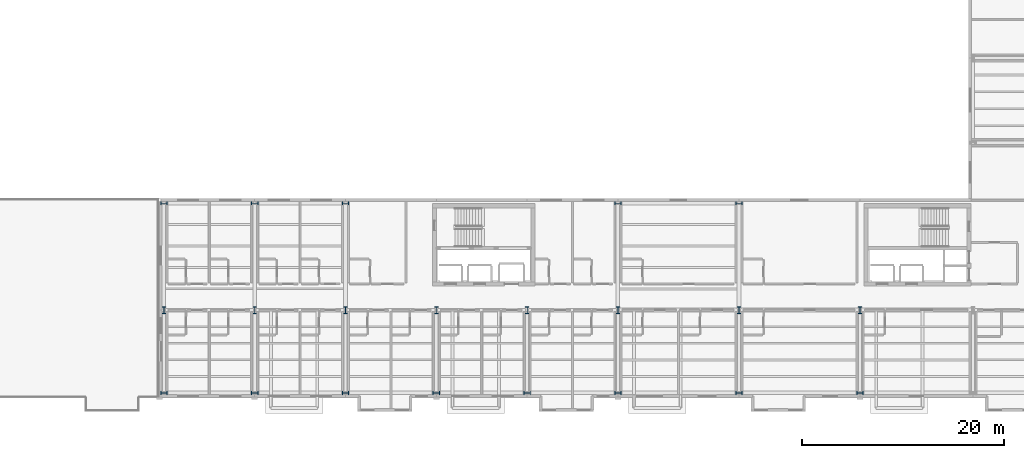
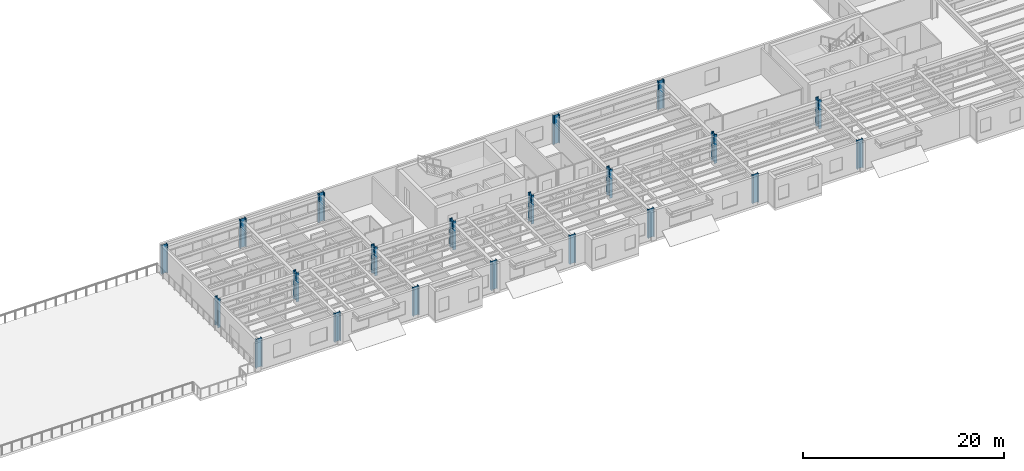
# One storey, part 1 of 23: 21 columns.
"""IFC4 building model written with IfcOpenShell, lengths in metres."""

from ifc_helpers import new_model, si_unit, direction, frame, origin, origin_2d, place, context, subcontext, project, spatial, i_section, extrude, material, material_profile, profile_set, type_object, element, save


model = new_model("IFC4")

# Units and contexts
model_context = context("Model", 3, precision=1e-05, world=origin(), true_north=direction((0.0, 1.0)))
body_context = subcontext(model_context, "Body", "Model", "MODEL_VIEW")
ifc_project = project(units=[si_unit("LENGTHUNIT", "METRE"), si_unit("AREAUNIT", "SQUARE_METRE"), si_unit("VOLUMEUNIT", "CUBIC_METRE"), si_unit("PLANEANGLEUNIT", "RADIAN"), si_unit("MASSUNIT", "GRAM", prefix="KILO")], contexts=[model_context])

# Site, building, storey
site_placement = place(None, origin())
site = spatial("IfcSite", under=ifc_project, at=site_placement, CompositionType="ELEMENT")
building_placement = place(site_placement, origin())
building = spatial("IfcBuilding", under=site, at=building_placement, Name="Sollismere Congress Hotel", CompositionType="ELEMENT")
storey_placement = place(building_placement, frame((0.0, 0.0, 30.60009765625)))
storey = spatial("IfcBuildingStorey", under=building, at=storey_placement, Name="L07", CompositionType="ELEMENT", Elevation=30.60009765625)

# Columns
ifc_material = material(Name="Steel ASTM A992 Grade 50", Category="steel")
ifc_material_profile = material_profile(ifc_material, i_section(OverallWidth=0.3330078125, OverallDepth=0.659912109375, WebThickness=0.0244140625, FlangeThickness=0.0439453125, at=origin_2d()), Name="W24X229")
ifc_profile_set = profile_set([ifc_material_profile], Name="Steel ASTM A992 Grade 50")
column_type = type_object("IfcColumnType", Name="COL-W24", PredefinedType="COLUMN", material=ifc_profile_set)
for number, where, z_axis, x_axis, name in (
    (1, (67.0, 0.0, 0.0), (0.0, 0.0, 1.0), (0.0, 1.0, 0.0), "Column CL-L07-284"),
    (2, (67.0, 8.199951171875, 0.0), (0.0, 0.0, 1.0), (1.0, 0.0, 0.0), "Column CL-L07-295"),
    (3, (67.0, 18.800048828125, 0.0), (0.0, 0.0, 1.0), (0.0, 1.0, 0.0), "Column CL-L07-306"),
    (4, (76.0, 0.0, 0.0), (0.0, 0.0, 1.0), (0.0, 1.0, 0.0), "Column CL-L07-348"),
    (5, (76.0, 8.199951171875, 0.0), (0.0, 0.0, 1.0), (1.0, 0.0, 0.0), "Column CL-L07-359"),
    (6, (76.0, 18.800048828125, 0.0), (0.0, 0.0, 1.0), (0.0, 1.0, 0.0), "Column CL-L07-370"),
    (7, (85.0, 0.0, 0.0), (0.0, 0.0, 1.0), (0.0, 1.0, 0.0), "Column CL-L07-401"),
    (8, (85.0, 8.199951171875, 0.0), (0.0, 0.0, 1.0), (1.0, 0.0, 0.0), "Column CL-L07-414"),
    (9, (85.0, 18.800048828125, 0.0), (0.0, 0.0, 1.0), (0.0, 1.0, 0.0), "Column CL-L07-427"),
    (10, (94.0, 0.0, 0.0), (0.0, 0.0, 1.0), (0.0, 1.0, 0.0), "Column CL-L07-460"),
    (11, (94.0, 8.199951171875, 0.0), (0.0, 0.0, 1.0), (1.0, 0.0, 0.0), "Column CL-L07-473"),
    (12, (103.0, 0.0, 0.0), (0.0, 0.0, 1.0), (0.0, 1.0, 0.0), "Column CL-L07-518"),
    (13, (103.0, 8.199951171875, 0.0), (0.0, 0.0, 1.0), (1.0, 0.0, 0.0), "Column CL-L07-531"),
    (14, (112.0, 0.0, 0.0), (0.0, 0.0, 1.0), (0.0, 1.0, 0.0), "Column CL-L07-576"),
    (15, (112.0, 8.199951171875, 0.0), (0.0, 0.0, 1.0), (1.0, 0.0, 0.0), "Column CL-L07-589"),
    (16, (112.0, 18.800048828125, 0.0), (0.0, 0.0, 1.0), (0.0, 1.0, 0.0), "Column CL-L07-602"),
    (17, (124.0, 0.0, 0.0), (0.0, 0.0, 1.0), (0.0, 1.0, 0.0), "Column CL-L07-654"),
    (18, (124.0, 8.199951171875, 0.0), (0.0, 0.0, 1.0), (1.0, 0.0, 0.0), "Column CL-L07-667"),
    (19, (124.0, 18.800048828125, 0.0), (0.0, 0.0, 1.0), (0.0, 1.0, 0.0), "Column CL-L07-680"),
    (20, (136.0, 0.0, 0.0), (0.0, 0.0, 1.0), (0.0, 1.0, 0.0), "Column CL-L07-735"),
    (21, (136.0, 8.199951171875, 0.0), (0.0, 0.0, 1.0), (1.0, 0.0, 0.0), "Column CL-L07-748"),
):
    element("IfcColumn", number, at=place(storey_placement, frame(where, z_axis=z_axis, x_axis=x_axis)), inside=storey, type_object=column_type, Name=name, PredefinedType="COLUMN", context=body_context, shape_type="SweptSolid", body=[
        extrude(i_section(OverallWidth=0.3330078125, OverallDepth=0.659912109375, WebThickness=0.0244140625, FlangeThickness=0.0439453125, at=origin_2d()), origin(), (0.0, 0.0, 1.0), 3.5),
    ])

save(model, "model.ifc")
